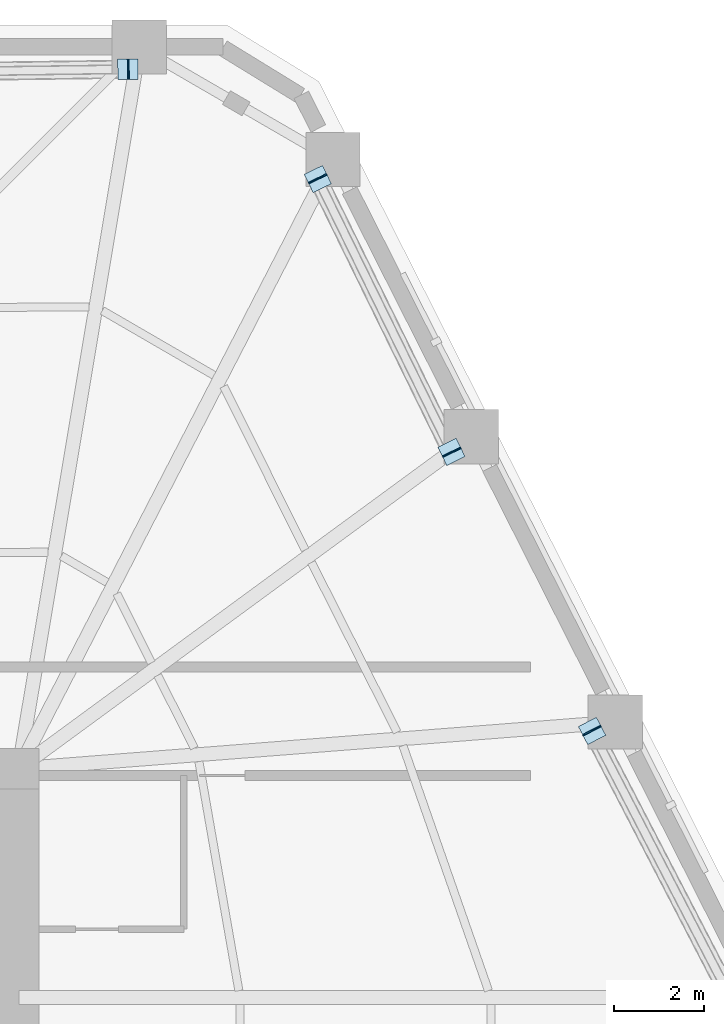
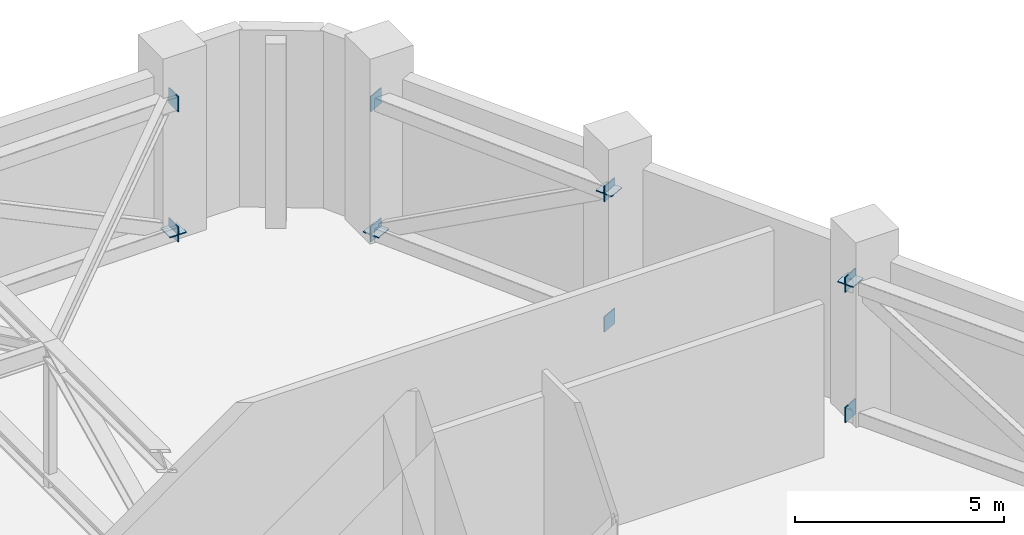
# One storey, part 10 of 19: 12 plates.
"""IFC4 building model written with IfcOpenShell, lengths in metres."""

from ifc_helpers import new_model, si_unit, direction, frame, origin, origin_2d, place, context, subcontext, project, spatial, rectangle, extrude, material, layer, layer_set, type_object, element, save


model = new_model("IFC4")

# Units and contexts
model_context = context("Model", 3, precision=1e-05, world=origin(), true_north=direction((0.0, 1.0)))
body_context = subcontext(model_context, "Body", "Model", "MODEL_VIEW")
ifc_project = project(units=[si_unit("LENGTHUNIT", "METRE"), si_unit("AREAUNIT", "SQUARE_METRE"), si_unit("VOLUMEUNIT", "CUBIC_METRE"), si_unit("PLANEANGLEUNIT", "RADIAN"), si_unit("MASSUNIT", "GRAM", prefix="KILO")], contexts=[model_context])

# Site, building, storey
site_placement = place(None, origin())
site = spatial("IfcSite", under=ifc_project, at=site_placement, CompositionType="ELEMENT")
building_placement = place(site_placement, origin())
building = spatial("IfcBuilding", under=site, at=building_placement, Name="Cinnabar Lancet Tower", CompositionType="ELEMENT")
storey_placement = place(building_placement, frame((0.0, 0.0, 74.60009765625)))
storey = spatial("IfcBuildingStorey", under=building, at=storey_placement, Name="L19", CompositionType="ELEMENT", Elevation=74.60009765625)

# Plates
ifc_material = material(Name="Structural steel S460", Category="steel")
ifc_layer = layer(ifc_material, 0.030029296875)
ifc_layer_set = layer_set([ifc_layer], Name="Structural steel S460")
plate_type = type_object("IfcPlateType", Name="STR-PL-CAP-25", PredefinedType="SHEET", material=ifc_layer_set)
for number, where, z_axis, x_axis, name in (
    (1, (54.528076171875, 34.19189453125, -0.0048828125), (0.0, 0.0, 1.0), (-0.460649089564, 0.887582343382, 0.0), "Hollow section end cap plate CP-BTC-L19-3-1-BC1"),
    (2, (54.528076171875, 34.19189453125, 3.8046875), (0.0, 0.0, 1.0), (-0.460649089564, 0.887582343382, 0.0), "Hollow section end cap plate CP-BTC-L19-3-1-TC1"),
):
    element("IfcPlate", number, at=place(storey_placement, frame(where, z_axis=z_axis, x_axis=x_axis)), inside=storey, type_object=plate_type, Name=name, PredefinedType="SHEET", context=body_context, shape_type="SweptSolid", body=[
        extrude(rectangle(XDim=0.030029296875, YDim=0.449951171875, at=origin_2d()), origin(), (0.0, 0.0, 1.0), 0.449951171875),
    ])
plate_1_placement = place(storey_placement, frame((54.531982421875, 34.18505859375, 4.02490234375), z_axis=(0.0, 0.0, 1.0), x_axis=(-0.460649089564, 0.887582343382, 0.0)))
element("IfcPlate", 3, at=plate_1_placement, inside=storey, type_object=plate_type, Name="Hollow section end cap plate CP-BTD-L19-3-1-1", PredefinedType="SHEET", context=body_context, shape_type="SweptSolid", body=[
    extrude(rectangle(XDim=0.449951171875, YDim=0.449951171875, at=origin_2d()), origin(), (0.0, 0.0, 1.0), 0.030029296875),
])
for number, where, z_axis, x_axis, name in (
    (4, (51.426025390625, 40.35009765625, -0.0048828125), (0.0, 0.0, 1.0), (0.439939169856, -0.898027575761, 0.0), "Hollow section end cap plate CP-BTC-L19-3-3-BC0"),
    (5, (48.4609375, 46.39990234375, -0.0048828125), (0.0, 0.0, 1.0), (-0.439939169856, 0.898027575761, 0.0), "Hollow section end cap plate CP-BTC-L19-3-3-BC1"),
    (6, (51.426025390625, 40.35009765625, 3.8046875), (0.0, 0.0, 1.0), (0.439939169856, -0.898027575761, 0.0), "Hollow section end cap plate CP-BTC-L19-3-3-TC0"),
    (7, (48.4609375, 46.39990234375, 3.8046875), (0.0, 0.0, 1.0), (-0.439939169856, 0.898027575761, 0.0), "Hollow section end cap plate CP-BTC-L19-3-3-TC1"),
):
    element("IfcPlate", number, at=place(storey_placement, frame(where, z_axis=z_axis, x_axis=x_axis)), inside=storey, type_object=plate_type, Name=name, PredefinedType="SHEET", context=body_context, shape_type="SweptSolid", body=[
        extrude(rectangle(XDim=0.030029296875, YDim=0.449951171875, at=origin_2d()), origin(), (0.0, 0.0, 1.0), 0.449951171875),
    ])
for number, where, z_axis, x_axis, name in (
    (8, (51.422119140625, 40.35693359375, 4.02490234375), (0.0, 0.0, 1.0), (0.439939169856, -0.898027575761, 0.0), "Hollow section end cap plate CP-BTD-L19-3-3-0"),
    (9, (48.465087890625, 46.39306640625, 0.19482421875), (0.0, 0.0, 1.0), (-0.439939169856, 0.898027575761, 0.0), "Hollow section end cap plate CP-BTD-L19-3-3-1"),
):
    element("IfcPlate", number, at=place(storey_placement, frame(where, z_axis=z_axis, x_axis=x_axis)), inside=storey, type_object=plate_type, Name=name, PredefinedType="SHEET", context=body_context, shape_type="SweptSolid", body=[
        extrude(rectangle(XDim=0.449951171875, YDim=0.449951171875, at=origin_2d()), origin(), (0.0, 0.0, 1.0), 0.030029296875),
    ])
for number, where, z_axis, x_axis, name in (
    (10, (44.27294921875, 48.822021484375, -0.0048828125), (0.0, 0.0, 1.0), (0.999908520976, 0.013525889243, 0.0), "Hollow section end cap plate CP-BTC-L19-4-1-BC0"),
    (11, (44.27294921875, 48.822021484375, 3.8046875), (0.0, 0.0, 1.0), (0.999908520976, 0.013525889243, 0.0), "Hollow section end cap plate CP-BTC-L19-4-1-TC0"),
):
    element("IfcPlate", number, at=place(storey_placement, frame(where, z_axis=z_axis, x_axis=x_axis)), inside=storey, type_object=plate_type, Name=name, PredefinedType="SHEET", context=body_context, shape_type="SweptSolid", body=[
        extrude(rectangle(XDim=0.030029296875, YDim=0.449951171875, at=origin_2d()), origin(), (0.0, 0.0, 1.0), 0.449951171875),
    ])
plate_2_placement = place(storey_placement, frame((44.264892578125, 48.822021484375, 0.19482421875), z_axis=(0.0, 0.0, 1.0), x_axis=(0.999908520976, 0.013525889243, 0.0)))
element("IfcPlate", 12, at=plate_2_placement, inside=storey, type_object=plate_type, Name="Hollow section end cap plate CP-BTD-L19-4-1-0", PredefinedType="SHEET", context=body_context, shape_type="SweptSolid", body=[
    extrude(rectangle(XDim=0.449951171875, YDim=0.449951171875, at=origin_2d()), origin(), (0.0, 0.0, 1.0), 0.030029296875),
])

save(model, "model.ifc")
